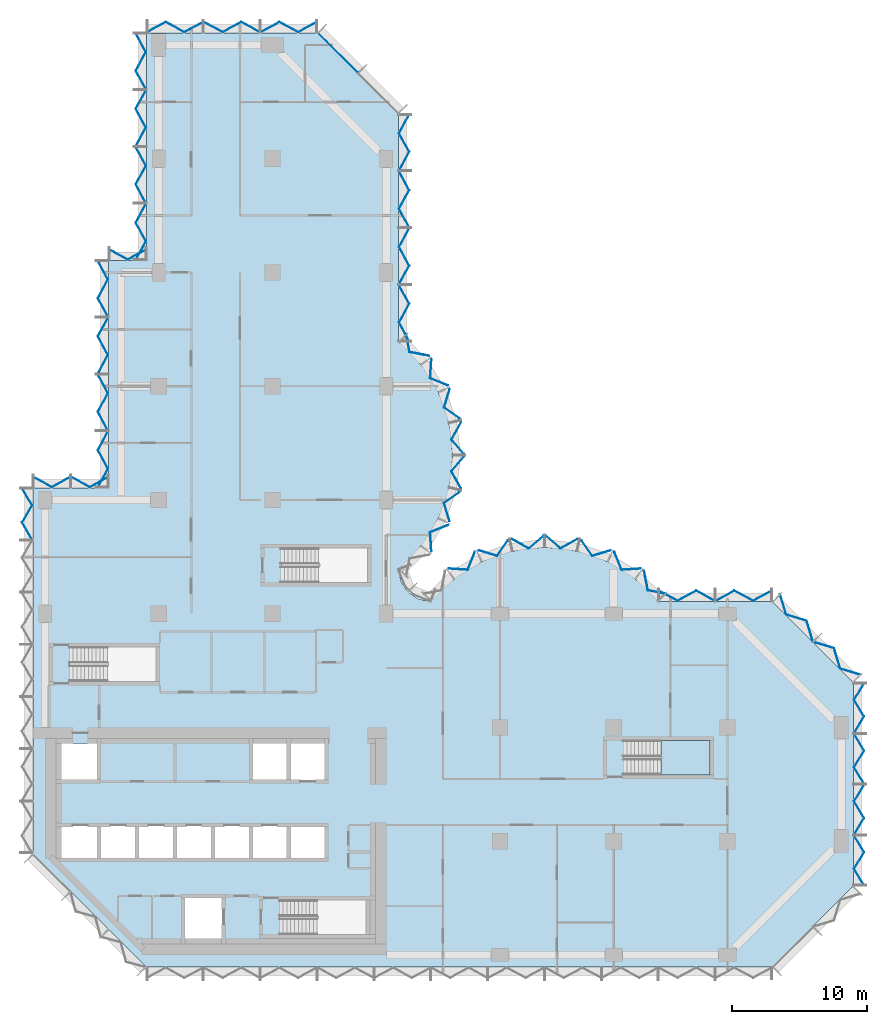
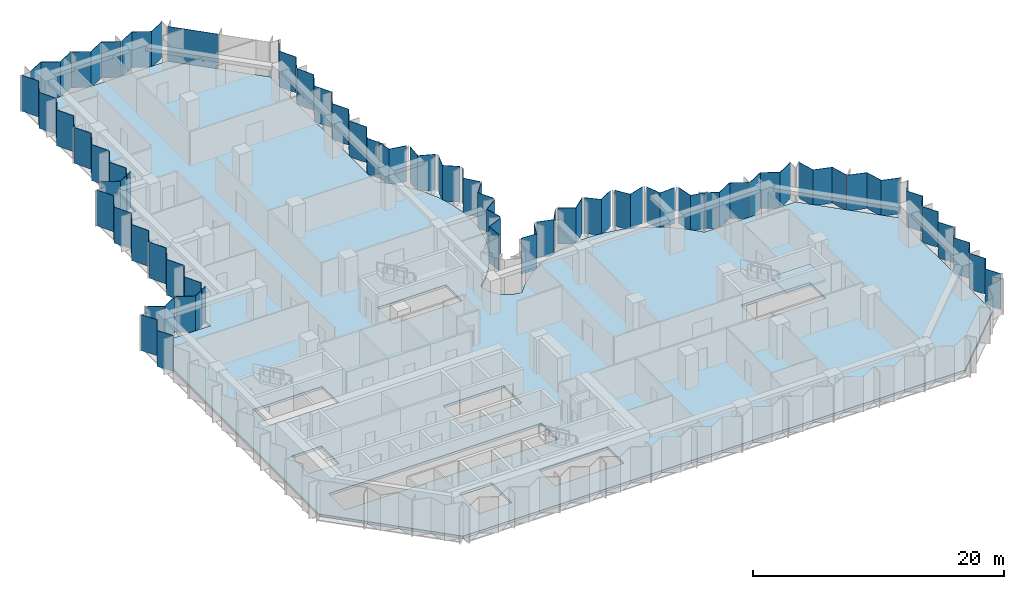
# One storey, part 4 of 11: 42 plates, 2 slabs, 14 elements without a shape of their own.
"""IFC4 building model written with IfcOpenShell, lengths in metres."""

from ifc_helpers import new_model, si_unit, direction, frame, origin, place, context, subcontext, project, spatial, polyline, outline, extrude, material, layer, layer_set, type_object, element, aggregate, save


model = new_model("IFC4")

# Units and contexts
model_context = context("Model", 3, precision=1e-05, world=origin(), true_north=direction((0.0, 1.0)))
body_context = subcontext(model_context, "Body", "Model", "MODEL_VIEW")
ifc_project = project(units=[si_unit("LENGTHUNIT", "METRE"), si_unit("AREAUNIT", "SQUARE_METRE"), si_unit("VOLUMEUNIT", "CUBIC_METRE"), si_unit("PLANEANGLEUNIT", "RADIAN"), si_unit("MASSUNIT", "GRAM", prefix="KILO")], contexts=[model_context])

# Site, building, storey
site_placement = place(None, origin())
site = spatial("IfcSite", under=ifc_project, at=site_placement, CompositionType="ELEMENT")
building_placement = place(site_placement, origin())
building = spatial("IfcBuilding", under=site, at=building_placement, Name="Brevane Broadcast Tower", CompositionType="ELEMENT")
storey_placement = place(building_placement, frame((0.0, 0.0, 138.5)))
storey = spatial("IfcBuildingStorey", under=building, at=storey_placement, Name="L34", CompositionType="ELEMENT", Elevation=138.5)

# Curtain wall, plates
ifc_material_1 = material(Name="Aluminium 6063-T6 bronze anodised", Category="aluminium")
curtain_wall_type = type_object("IfcCurtainWallType", Name="CW-1 curtain wall", PredefinedType="NOTDEFINED", material=ifc_material_1)
curtain_wall_1_placement = place(storey_placement, origin())
curtain_wall_1 = element("IfcCurtainWall", 1, at=curtain_wall_1_placement, inside=storey, type_object=curtain_wall_type, Name="CW-1 typical tilted unit L34 east end", PredefinedType="NOTDEFINED")
ifc_material_2 = material(Name="Laminated glass bronze-tinted", Category="glass")
ifc_layer_1 = layer(ifc_material_2, 0.0400390625)
ifc_layer_set_1 = layer_set([ifc_layer_1], Name="CW tall glass panel 40")
plate_type = type_object("IfcPlateType", Name="CW tall glass panel 40", PredefinedType="CURTAIN_PANEL", material=ifc_layer_set_1)
plate_1_placement = place(storey_placement, frame((0.0, 0.0, -0.14990234375)))
plate_1 = element("IfcPlate", 2, at=plate_1_placement, type_object=plate_type, Name="CW-1 glass panel", PredefinedType="CURTAIN_PANEL", context=body_context, shape_type="SweptSolid", body=[
    extrude(outline(polyline([(60.470947265625, 5.135009765625), (60.517822265625, 5.135009765625), (59.7734375, 6.36181640625), (60.517822265625, 7.58837890625), (59.7734375, 8.81494140625), (59.7265625, 8.81494140625), (60.470947265625, 7.58837890625), (59.7265625, 6.36181640625), (60.470947265625, 5.135009765625)])), origin(), (0.0, 0.0, 1.0), 3.5),
])
plate_2_placement = place(storey_placement, frame((0.0, 0.0, -0.14990234375)))
plate_2 = element("IfcPlate", 3, at=plate_2_placement, type_object=plate_type, Name="CW-1 glass panel", PredefinedType="CURTAIN_PANEL", context=body_context, shape_type="SweptSolid", body=[
    extrude(outline(polyline([(59.7265625, 8.885009765625), (59.7734375, 8.885009765625), (60.517822265625, 10.11181640625), (59.7734375, 11.33837890625), (60.517822265625, 12.56494140625), (60.470947265625, 12.56494140625), (59.7265625, 11.33837890625), (60.470947265625, 10.11181640625), (59.7265625, 8.885009765625)])), origin(), (0.0, 0.0, 1.0), 3.5),
])
plate_3_placement = place(storey_placement, frame((0.0, 0.0, -0.14990234375)))
plate_3 = element("IfcPlate", 4, at=plate_3_placement, type_object=plate_type, Name="CW-1 glass panel", PredefinedType="CURTAIN_PANEL", context=body_context, shape_type="SweptSolid", body=[
    extrude(outline(polyline([(60.470947265625, 12.635009765625), (60.517822265625, 12.635009765625), (59.7734375, 13.86181640625), (60.517822265625, 15.08837890625), (59.7734375, 16.31494140625), (59.7265625, 16.31494140625), (60.470947265625, 15.08837890625), (59.7265625, 13.86181640625), (60.470947265625, 12.635009765625)])), origin(), (0.0, 0.0, 1.0), 3.5),
])
plate_4_placement = place(storey_placement, frame((0.0, 0.0, -0.14990234375)))
plate_4 = element("IfcPlate", 5, at=plate_4_placement, type_object=plate_type, Name="CW-1 glass panel", PredefinedType="CURTAIN_PANEL", context=body_context, shape_type="SweptSolid", body=[
    extrude(outline(polyline([(59.7265625, 16.385009765625), (59.7734375, 16.385009765625), (60.517822265625, 17.61181640625), (59.7734375, 18.83837890625), (60.517822265625, 20.06494140625), (60.470947265625, 20.06494140625), (59.7265625, 18.83837890625), (60.470947265625, 17.61181640625), (59.7265625, 16.385009765625)])), origin(), (0.0, 0.0, 1.0), 3.5),
])
aggregate(curtain_wall_1, [plate_1, plate_2, plate_3, plate_4])

curtain_wall_2_placement = place(storey_placement, origin())
curtain_wall_2 = element("IfcCurtainWall", 6, at=curtain_wall_2_placement, inside=storey, type_object=curtain_wall_type, Name="CW-1 typical tilted unit L34 north-east chamfer", PredefinedType="NOTDEFINED")
plate_5_placement = place(storey_placement, frame((0.0, 0.0, -0.14990234375)))
plate_5 = element("IfcPlate", 7, at=plate_5_placement, type_object=plate_type, Name="CW-1 glass panel", PredefinedType="CURTAIN_PANEL", context=body_context, shape_type="SweptSolid", body=[
    extrude(outline(polyline([(60.220947265625, 20.67041015625), (60.2529296875, 20.702392578125), (58.7431640625, 21.15966796875), (58.285888671875, 22.66943359375), (56.776123046875, 23.126708984375), (56.744140625, 23.094482421875), (58.25390625, 22.637451171875), (58.711181640625, 21.127685546875), (60.220947265625, 20.67041015625)])), origin(), (0.0, 0.0, 1.0), 3.5),
])
plate_6_placement = place(storey_placement, frame((0.0, 0.0, -0.14990234375)))
plate_6 = element("IfcPlate", 8, at=plate_6_placement, type_object=plate_type, Name="CW-1 glass panel", PredefinedType="CURTAIN_PANEL", context=body_context, shape_type="SweptSolid", body=[
    extrude(outline(polyline([(56.694580078125, 23.14404296875), (56.7265625, 23.176025390625), (56.26953125, 24.68603515625), (54.759521484375, 25.14306640625), (54.302490234375, 26.653076171875), (54.2705078125, 26.620849609375), (54.7275390625, 25.111083984375), (56.2373046875, 24.65380859375), (56.694580078125, 23.14404296875)])), origin(), (0.0, 0.0, 1.0), 3.5),
])
aggregate(curtain_wall_2, [plate_5, plate_6])

curtain_wall_3_placement = place(storey_placement, origin())
curtain_wall_3 = element("IfcCurtainWall", 9, at=curtain_wall_3_placement, inside=storey, type_object=curtain_wall_type, Name="CW-1 typical tilted unit L34 east arm north face", PredefinedType="NOTDEFINED")
plate_7_placement = place(storey_placement, frame((0.0, 0.0, -0.14990234375)))
plate_7 = element("IfcPlate", 10, at=plate_7_placement, type_object=plate_type, Name="CW-1 glass panel", PredefinedType="CURTAIN_PANEL", context=body_context, shape_type="SweptSolid", body=[
    extrude(outline(polyline([(53.6650390625, 26.87158203125), (53.6650390625, 26.9169921875), (52.288330078125, 26.172607421875), (50.91162109375, 26.9169921875), (49.534912109375, 26.172607421875), (49.534912109375, 26.127197265625), (50.91162109375, 26.87158203125), (52.288330078125, 26.127197265625), (53.6650390625, 26.87158203125)])), origin(), (0.0, 0.0, 1.0), 3.5),
])
plate_8_placement = place(storey_placement, frame((0.0, 0.0, -0.14990234375)))
plate_8 = element("IfcPlate", 11, at=plate_8_placement, type_object=plate_type, Name="CW-1 glass panel", PredefinedType="CURTAIN_PANEL", context=body_context, shape_type="SweptSolid", body=[
    extrude(outline(polyline([(49.465087890625, 26.127197265625), (49.465087890625, 26.172607421875), (48.08837890625, 26.9169921875), (46.711669921875, 26.172607421875), (45.3349609375, 26.9169921875), (45.3349609375, 26.87158203125), (46.711669921875, 26.127197265625), (48.08837890625, 26.87158203125), (49.465087890625, 26.127197265625)])), origin(), (0.0, 0.0, 1.0), 3.5),
])
aggregate(curtain_wall_3, [plate_7, plate_8])

curtain_wall_4_placement = place(storey_placement, origin())
curtain_wall_4 = element("IfcCurtainWall", 12, at=curtain_wall_4_placement, inside=storey, type_object=curtain_wall_type, Name="CW-1 typical tilted unit L34 east bow", PredefinedType="NOTDEFINED")
plate_9_placement = place(storey_placement, frame((0.0, 0.0, -0.14990234375)))
plate_9 = element("IfcPlate", 13, at=plate_9_placement, type_object=plate_type, Name="CW-1 glass panel", PredefinedType="CURTAIN_PANEL", context=body_context, shape_type="SweptSolid", body=[
    extrude(outline(polyline([(45.79150390625, 26.656005859375), (45.82470703125, 26.690185546875), (44.539306640625, 26.9423828125), (44.263916015625, 28.3857421875), (44.231201171875, 28.34375), (44.5048828125, 26.908203125), (45.79150390625, 26.656005859375)])), origin(), (0.0, 0.0, 1.0), 3.5),
])
plate_10_placement = place(storey_placement, frame((0.0, 0.0, -0.14990234375)))
plate_10 = element("IfcPlate", 14, at=plate_10_placement, type_object=plate_type, Name="CW-1 glass panel", PredefinedType="CURTAIN_PANEL", context=body_context, shape_type="SweptSolid", body=[
    extrude(outline(polyline([(43.950439453125, 28.5087890625), (43.9833984375, 28.551025390625), (42.601318359375, 28.462890625), (42.0703125, 29.76171875), (42.046875, 29.712890625), (42.5751953125, 28.42138671875), (43.950439453125, 28.5087890625)])), origin(), (0.0, 0.0, 1.0), 3.5),
])
plate_11_placement = place(storey_placement, frame((0.0, 0.0, -0.14990234375)))
plate_11 = element("IfcPlate", 15, at=plate_11_placement, type_object=plate_type, Name="CW-1 glass panel", PredefinedType="CURTAIN_PANEL", context=body_context, shape_type="SweptSolid", body=[
    extrude(outline(polyline([(41.75537109375, 29.851806640625), (41.778564453125, 29.900634765625), (40.435546875, 29.494384765625), (39.6328125, 30.622802734375), (39.62060546875, 30.57080078125), (40.41943359375, 29.44775390625), (41.75537109375, 29.851806640625)])), origin(), (0.0, 0.0, 1.0), 3.5),
])
plate_12_placement = place(storey_placement, frame((0.0, 0.0, -0.14990234375)))
plate_12 = element("IfcPlate", 16, at=plate_12_placement, type_object=plate_type, Name="CW-1 glass panel", PredefinedType="CURTAIN_PANEL", context=body_context, shape_type="SweptSolid", body=[
    extrude(outline(polyline([(39.31640625, 30.68798828125), (39.328369140625, 30.740478515625), (38.069580078125, 30.036376953125), (37.008056640625, 30.94921875), (37.008056640625, 30.896484375), (38.064697265625, 29.98779296875), (39.31640625, 30.68798828125)])), origin(), (0.0, 0.0, 1.0), 3.5),
])
plate_13_placement = place(storey_placement, frame((0.0, 0.0, -0.14990234375)))
plate_13 = element("IfcPlate", 17, at=plate_13_placement, type_object=plate_type, Name="CW-1 glass panel", PredefinedType="CURTAIN_PANEL", context=body_context, shape_type="SweptSolid", body=[
    extrude(outline(polyline([(36.7919921875, 30.896484375), (36.7919921875, 30.94921875), (35.730224609375, 30.036376953125), (34.4716796875, 30.740478515625), (34.483642578125, 30.68798828125), (35.735107421875, 29.98779296875), (36.7919921875, 30.896484375)])), origin(), (0.0, 0.0, 1.0), 3.5),
])
plate_14_placement = place(storey_placement, frame((0.0, 0.0, -0.14990234375)))
plate_14 = element("IfcPlate", 18, at=plate_14_placement, type_object=plate_type, Name="CW-1 glass panel", PredefinedType="CURTAIN_PANEL", context=body_context, shape_type="SweptSolid", body=[
    extrude(outline(polyline([(34.17919921875, 30.57080078125), (34.167236328125, 30.622802734375), (33.364501953125, 29.494384765625), (32.021484375, 29.900634765625), (32.044677734375, 29.851806640625), (33.380615234375, 29.44775390625), (34.17919921875, 30.57080078125)])), origin(), (0.0, 0.0, 1.0), 3.5),
])
plate_15_placement = place(storey_placement, frame((0.0, 0.0, -0.14990234375)))
plate_15 = element("IfcPlate", 19, at=plate_15_placement, type_object=plate_type, Name="CW-1 glass panel", PredefinedType="CURTAIN_PANEL", context=body_context, shape_type="SweptSolid", body=[
    extrude(outline(polyline([(31.753173828125, 29.712890625), (31.729736328125, 29.76171875), (31.198486328125, 28.462890625), (29.816650390625, 28.551025390625), (29.849609375, 28.5087890625), (31.224609375, 28.42138671875), (31.753173828125, 29.712890625)])), origin(), (0.0, 0.0, 1.0), 3.5),
])
aggregate(curtain_wall_4, [plate_9, plate_10, plate_11, plate_12, plate_13, plate_14, plate_15])

curtain_wall_5_placement = place(storey_placement, origin())
curtain_wall_5 = element("IfcCurtainWall", 20, at=curtain_wall_5_placement, inside=storey, type_object=curtain_wall_type, Name="CW-1 typical tilted unit L34 north bow", PredefinedType="NOTDEFINED")
plate_16_placement = place(storey_placement, frame((0.0, 0.0, -0.14990234375)))
plate_16 = element("IfcPlate", 21, at=plate_16_placement, type_object=plate_type, Name="CW-1 glass panel", PredefinedType="CURTAIN_PANEL", context=body_context, shape_type="SweptSolid", body=[
    extrude(outline(polyline([(28.5087890625, 29.849609375), (28.551025390625, 29.816650390625), (28.462890625, 31.198486328125), (29.76171875, 31.729736328125), (29.712890625, 31.753173828125), (28.42138671875, 31.224609375), (28.5087890625, 29.849609375)])), origin(), (0.0, 0.0, 1.0), 3.5),
])
plate_17_placement = place(storey_placement, frame((0.0, 0.0, -0.14990234375)))
plate_17 = element("IfcPlate", 22, at=plate_17_placement, type_object=plate_type, Name="CW-1 glass panel", PredefinedType="CURTAIN_PANEL", context=body_context, shape_type="SweptSolid", body=[
    extrude(outline(polyline([(29.851806640625, 32.044677734375), (29.900634765625, 32.021484375), (29.494384765625, 33.364501953125), (30.622802734375, 34.167236328125), (30.57080078125, 34.17919921875), (29.44775390625, 33.380615234375), (29.851806640625, 32.044677734375)])), origin(), (0.0, 0.0, 1.0), 3.5),
])
plate_18_placement = place(storey_placement, frame((0.0, 0.0, -0.14990234375)))
plate_18 = element("IfcPlate", 23, at=plate_18_placement, type_object=plate_type, Name="CW-1 glass panel", PredefinedType="CURTAIN_PANEL", context=body_context, shape_type="SweptSolid", body=[
    extrude(outline(polyline([(30.68798828125, 34.483642578125), (30.740478515625, 34.4716796875), (30.036376953125, 35.730224609375), (30.94921875, 36.7919921875), (30.896484375, 36.7919921875), (29.98779296875, 35.735107421875), (30.68798828125, 34.483642578125)])), origin(), (0.0, 0.0, 1.0), 3.5),
])
plate_19_placement = place(storey_placement, frame((0.0, 0.0, -0.14990234375)))
plate_19 = element("IfcPlate", 24, at=plate_19_placement, type_object=plate_type, Name="CW-1 glass panel", PredefinedType="CURTAIN_PANEL", context=body_context, shape_type="SweptSolid", body=[
    extrude(outline(polyline([(30.896484375, 37.008056640625), (30.94921875, 37.008056640625), (30.036376953125, 38.069580078125), (30.740478515625, 39.328369140625), (30.68798828125, 39.31640625), (29.98779296875, 38.064697265625), (30.896484375, 37.008056640625)])), origin(), (0.0, 0.0, 1.0), 3.5),
])
plate_20_placement = place(storey_placement, frame((0.0, 0.0, -0.14990234375)))
plate_20 = element("IfcPlate", 25, at=plate_20_placement, type_object=plate_type, Name="CW-1 glass panel", PredefinedType="CURTAIN_PANEL", context=body_context, shape_type="SweptSolid", body=[
    extrude(outline(polyline([(30.57080078125, 39.62060546875), (30.622802734375, 39.6328125), (29.494384765625, 40.435546875), (29.900634765625, 41.778564453125), (29.851806640625, 41.75537109375), (29.44775390625, 40.41943359375), (30.57080078125, 39.62060546875)])), origin(), (0.0, 0.0, 1.0), 3.5),
])
plate_21_placement = place(storey_placement, frame((0.0, 0.0, -0.14990234375)))
plate_21 = element("IfcPlate", 26, at=plate_21_placement, type_object=plate_type, Name="CW-1 glass panel", PredefinedType="CURTAIN_PANEL", context=body_context, shape_type="SweptSolid", body=[
    extrude(outline(polyline([(29.712890625, 42.046875), (29.76171875, 42.0703125), (28.462890625, 42.601318359375), (28.551025390625, 43.9833984375), (28.5087890625, 43.950439453125), (28.42138671875, 42.5751953125), (29.712890625, 42.046875)])), origin(), (0.0, 0.0, 1.0), 3.5),
])
plate_22_placement = place(storey_placement, frame((0.0, 0.0, -0.14990234375)))
plate_22 = element("IfcPlate", 27, at=plate_22_placement, type_object=plate_type, Name="CW-1 glass panel", PredefinedType="CURTAIN_PANEL", context=body_context, shape_type="SweptSolid", body=[
    extrude(outline(polyline([(28.34375, 44.231201171875), (28.3857421875, 44.263916015625), (26.9423828125, 44.539306640625), (26.690185546875, 45.82470703125), (26.656005859375, 45.79150390625), (26.908203125, 44.5048828125), (28.34375, 44.231201171875)])), origin(), (0.0, 0.0, 1.0), 3.5),
])
aggregate(curtain_wall_5, [plate_16, plate_17, plate_18, plate_19, plate_20, plate_21, plate_22])

curtain_wall_6_placement = place(storey_placement, origin())
curtain_wall_6 = element("IfcCurtainWall", 28, at=curtain_wall_6_placement, inside=storey, type_object=curtain_wall_type, Name="CW-1 typical tilted unit L34 north arm east face", PredefinedType="NOTDEFINED")
plate_23_placement = place(storey_placement, frame((0.0, 0.0, -0.14990234375)))
plate_23 = element("IfcPlate", 29, at=plate_23_placement, type_object=plate_type, Name="CW-1 glass panel", PredefinedType="CURTAIN_PANEL", context=body_context, shape_type="SweptSolid", body=[
    extrude(outline(polyline([(26.87158203125, 45.3349609375), (26.9169921875, 45.3349609375), (26.172607421875, 46.711669921875), (26.9169921875, 48.08837890625), (26.172607421875, 49.465087890625), (26.127197265625, 49.465087890625), (26.87158203125, 48.08837890625), (26.127197265625, 46.711669921875), (26.87158203125, 45.3349609375)])), origin(), (0.0, 0.0, 1.0), 3.5),
])
plate_24_placement = place(storey_placement, frame((0.0, 0.0, -0.14990234375)))
plate_24 = element("IfcPlate", 30, at=plate_24_placement, type_object=plate_type, Name="CW-1 glass panel", PredefinedType="CURTAIN_PANEL", context=body_context, shape_type="SweptSolid", body=[
    extrude(outline(polyline([(26.127197265625, 49.534912109375), (26.172607421875, 49.534912109375), (26.9169921875, 50.91162109375), (26.172607421875, 52.288330078125), (26.9169921875, 53.6650390625), (26.87158203125, 53.6650390625), (26.127197265625, 52.288330078125), (26.87158203125, 50.91162109375), (26.127197265625, 49.534912109375)])), origin(), (0.0, 0.0, 1.0), 3.5),
])
plate_25_placement = place(storey_placement, frame((0.0, 0.0, -0.14990234375)))
plate_25 = element("IfcPlate", 31, at=plate_25_placement, type_object=plate_type, Name="CW-1 glass panel", PredefinedType="CURTAIN_PANEL", context=body_context, shape_type="SweptSolid", body=[
    extrude(outline(polyline([(26.87158203125, 53.735107421875), (26.9169921875, 53.735107421875), (26.172607421875, 55.11181640625), (26.9169921875, 56.48828125), (26.172607421875, 57.864990234375), (26.127197265625, 57.864990234375), (26.87158203125, 56.48828125), (26.127197265625, 55.11181640625), (26.87158203125, 53.735107421875)])), origin(), (0.0, 0.0, 1.0), 3.5),
])
plate_26_placement = place(storey_placement, frame((0.0, 0.0, -0.14990234375)))
plate_26 = element("IfcPlate", 32, at=plate_26_placement, type_object=plate_type, Name="CW-1 glass panel", PredefinedType="CURTAIN_PANEL", context=body_context, shape_type="SweptSolid", body=[
    extrude(outline(polyline([(26.127197265625, 57.93505859375), (26.172607421875, 57.93505859375), (26.9169921875, 59.311767578125), (26.172607421875, 60.688232421875), (26.9169921875, 62.06494140625), (26.87158203125, 62.06494140625), (26.127197265625, 60.688232421875), (26.87158203125, 59.311767578125), (26.127197265625, 57.93505859375)])), origin(), (0.0, 0.0, 1.0), 3.5),
])
aggregate(curtain_wall_6, [plate_23, plate_24, plate_25, plate_26])

# Curtain wall, plate
curtain_wall_7_placement = place(storey_placement, origin())
curtain_wall_7 = element("IfcCurtainWall", 33, at=curtain_wall_7_placement, inside=storey, type_object=curtain_wall_type, Name="CW-1 typical tilted unit L34 north arm north-east chamfer", PredefinedType="NOTDEFINED")
plate_27_placement = place(storey_placement, frame((0.0, 0.0, -0.14990234375)))
plate_27 = element("IfcPlate", 34, at=plate_27_placement, type_object=plate_type, Name="CW-1 glass panel", PredefinedType="CURTAIN_PANEL", context=body_context, shape_type="SweptSolid", body=[
    extrude(outline(polyline([(23.096435546875, 65.14599609375), (20.14599609375, 68.096435546875), (20.17431640625, 68.124755859375), (23.124755859375, 65.17431640625), (23.096435546875, 65.14599609375)])), origin(), (0.0, 0.0, 1.0), 3.5),
])
aggregate(curtain_wall_7, [plate_27])

# Curtain wall, plates
curtain_wall_8_placement = place(storey_placement, origin())
curtain_wall_8 = element("IfcCurtainWall", 35, at=curtain_wall_8_placement, inside=storey, type_object=curtain_wall_type, Name="CW-1 typical tilted unit L34 north end", PredefinedType="NOTDEFINED")
plate_28_placement = place(storey_placement, frame((0.0, 0.0, -0.14990234375)))
plate_28 = element("IfcPlate", 36, at=plate_28_placement, type_object=plate_type, Name="CW-1 glass panel", PredefinedType="CURTAIN_PANEL", context=body_context, shape_type="SweptSolid", body=[
    extrude(outline(polyline([(20.06494140625, 68.87158203125), (20.06494140625, 68.9169921875), (18.688232421875, 68.172607421875), (17.311767578125, 68.9169921875), (15.93505859375, 68.172607421875), (15.93505859375, 68.127197265625), (17.311767578125, 68.87158203125), (18.688232421875, 68.127197265625), (20.06494140625, 68.87158203125)])), origin(), (0.0, 0.0, 1.0), 3.5),
])
plate_29_placement = place(storey_placement, frame((0.0, 0.0, -0.14990234375)))
plate_29 = element("IfcPlate", 37, at=plate_29_placement, type_object=plate_type, Name="CW-1 glass panel", PredefinedType="CURTAIN_PANEL", context=body_context, shape_type="SweptSolid", body=[
    extrude(outline(polyline([(15.864990234375, 68.127197265625), (15.864990234375, 68.172607421875), (14.48828125, 68.9169921875), (13.11181640625, 68.172607421875), (11.735107421875, 68.9169921875), (11.735107421875, 68.87158203125), (13.11181640625, 68.127197265625), (14.48828125, 68.87158203125), (15.864990234375, 68.127197265625)])), origin(), (0.0, 0.0, 1.0), 3.5),
])
plate_30_placement = place(storey_placement, frame((0.0, 0.0, -0.14990234375)))
plate_30 = element("IfcPlate", 38, at=plate_30_placement, type_object=plate_type, Name="CW-1 glass panel", PredefinedType="CURTAIN_PANEL", context=body_context, shape_type="SweptSolid", body=[
    extrude(outline(polyline([(11.6650390625, 68.87158203125), (11.6650390625, 68.9169921875), (10.288330078125, 68.172607421875), (8.91162109375, 68.9169921875), (7.534912109375, 68.172607421875), (7.534912109375, 68.127197265625), (8.91162109375, 68.87158203125), (10.288330078125, 68.127197265625), (11.6650390625, 68.87158203125)])), origin(), (0.0, 0.0, 1.0), 3.5),
])
aggregate(curtain_wall_8, [plate_28, plate_29, plate_30])

curtain_wall_9_placement = place(storey_placement, origin())
curtain_wall_9 = element("IfcCurtainWall", 39, at=curtain_wall_9_placement, inside=storey, type_object=curtain_wall_type, Name="CW-1 typical tilted unit L34 north wing west face above the set-back", PredefinedType="NOTDEFINED")
plate_31_placement = place(storey_placement, frame((0.0, 0.0, -0.14990234375)))
plate_31 = element("IfcPlate", 40, at=plate_31_placement, type_object=plate_type, Name="CW-1 glass panel", PredefinedType="CURTAIN_PANEL", context=body_context, shape_type="SweptSolid", body=[
    extrude(outline(polyline([(6.728271484375, 68.06494140625), (6.682861328125, 68.06494140625), (7.42724609375, 66.688232421875), (6.682861328125, 65.311767578125), (7.42724609375, 63.93505859375), (7.47265625, 63.93505859375), (6.728271484375, 65.311767578125), (7.47265625, 66.688232421875), (6.728271484375, 68.06494140625)])), origin(), (0.0, 0.0, 1.0), 3.5),
])
plate_32_placement = place(storey_placement, frame((0.0, 0.0, -0.14990234375)))
plate_32 = element("IfcPlate", 41, at=plate_32_placement, type_object=plate_type, Name="CW-1 glass panel", PredefinedType="CURTAIN_PANEL", context=body_context, shape_type="SweptSolid", body=[
    extrude(outline(polyline([(7.47265625, 63.864990234375), (7.42724609375, 63.864990234375), (6.682861328125, 62.48828125), (7.42724609375, 61.11181640625), (6.682861328125, 59.735107421875), (6.728271484375, 59.735107421875), (7.47265625, 61.11181640625), (6.728271484375, 62.48828125), (7.47265625, 63.864990234375)])), origin(), (0.0, 0.0, 1.0), 3.5),
])
plate_33_placement = place(storey_placement, frame((0.0, 0.0, -0.14990234375)))
plate_33 = element("IfcPlate", 42, at=plate_33_placement, type_object=plate_type, Name="CW-1 glass panel", PredefinedType="CURTAIN_PANEL", context=body_context, shape_type="SweptSolid", body=[
    extrude(outline(polyline([(6.728271484375, 59.6650390625), (6.682861328125, 59.6650390625), (7.42724609375, 58.288330078125), (6.682861328125, 56.91162109375), (7.42724609375, 55.534912109375), (7.47265625, 55.534912109375), (6.728271484375, 56.91162109375), (7.47265625, 58.288330078125), (6.728271484375, 59.6650390625)])), origin(), (0.0, 0.0, 1.0), 3.5),
])
plate_34_placement = place(storey_placement, frame((0.0, 0.0, -0.14990234375)))
plate_34 = element("IfcPlate", 43, at=plate_34_placement, type_object=plate_type, Name="CW-1 glass panel", PredefinedType="CURTAIN_PANEL", context=body_context, shape_type="SweptSolid", body=[
    extrude(outline(polyline([(7.47265625, 55.465087890625), (7.42724609375, 55.465087890625), (6.682861328125, 54.08837890625), (7.42724609375, 52.711669921875), (6.682861328125, 51.3349609375), (6.728271484375, 51.3349609375), (7.47265625, 52.711669921875), (6.728271484375, 54.08837890625), (7.47265625, 55.465087890625)])), origin(), (0.0, 0.0, 1.0), 3.5),
])
aggregate(curtain_wall_9, [plate_31, plate_32, plate_33, plate_34])

# Curtain wall, plate
curtain_wall_10_placement = place(storey_placement, origin())
curtain_wall_10 = element("IfcCurtainWall", 44, at=curtain_wall_10_placement, inside=storey, type_object=curtain_wall_type, Name="CW-1 typical tilted unit L34 north wing west return", PredefinedType="NOTDEFINED")
plate_35_placement = place(storey_placement, frame((0.0, 0.0, -0.14990234375)))
plate_35 = element("IfcPlate", 45, at=plate_35_placement, type_object=plate_type, Name="CW-1 glass panel", PredefinedType="CURTAIN_PANEL", context=body_context, shape_type="SweptSolid", body=[
    extrude(outline(polyline([(7.465087890625, 52.071533203125), (7.465087890625, 52.1171875), (6.10009765625, 51.372802734375), (4.735107421875, 52.1171875), (4.735107421875, 52.071533203125), (6.10009765625, 51.3271484375), (7.465087890625, 52.071533203125)])), origin(), (0.0, 0.0, 1.0), 3.5),
])
aggregate(curtain_wall_10, [plate_35])

# Curtain wall, plates
curtain_wall_11_placement = place(storey_placement, origin())
curtain_wall_11 = element("IfcCurtainWall", 46, at=curtain_wall_11_placement, inside=storey, type_object=curtain_wall_type, Name="CW-1 typical tilted unit L34 north wing west face, lower block", PredefinedType="NOTDEFINED")
plate_36_placement = place(storey_placement, frame((0.0, 0.0, -0.14990234375)))
plate_36 = element("IfcPlate", 47, at=plate_36_placement, type_object=plate_type, Name="CW-1 glass panel", PredefinedType="CURTAIN_PANEL", context=body_context, shape_type="SweptSolid", body=[
    extrude(outline(polyline([(3.92822265625, 51.264892578125), (3.8828125, 51.264892578125), (4.627197265625, 49.88818359375), (3.8828125, 48.51171875), (4.627197265625, 47.135009765625), (4.672607421875, 47.135009765625), (3.92822265625, 48.51171875), (4.672607421875, 49.88818359375), (3.92822265625, 51.264892578125)])), origin(), (0.0, 0.0, 1.0), 3.5),
])
plate_37_placement = place(storey_placement, frame((0.0, 0.0, -0.14990234375)))
plate_37 = element("IfcPlate", 48, at=plate_37_placement, type_object=plate_type, Name="CW-1 glass panel", PredefinedType="CURTAIN_PANEL", context=body_context, shape_type="SweptSolid", body=[
    extrude(outline(polyline([(4.672607421875, 47.06494140625), (4.627197265625, 47.06494140625), (3.8828125, 45.688232421875), (4.627197265625, 44.311767578125), (3.8828125, 42.93505859375), (3.92822265625, 42.93505859375), (4.672607421875, 44.311767578125), (3.92822265625, 45.688232421875), (4.672607421875, 47.06494140625)])), origin(), (0.0, 0.0, 1.0), 3.5),
])
plate_38_placement = place(storey_placement, frame((0.0, 0.0, -0.14990234375)))
plate_38 = element("IfcPlate", 49, at=plate_38_placement, type_object=plate_type, Name="CW-1 glass panel", PredefinedType="CURTAIN_PANEL", context=body_context, shape_type="SweptSolid", body=[
    extrude(outline(polyline([(3.92822265625, 42.864990234375), (3.8828125, 42.864990234375), (4.627197265625, 41.48828125), (3.8828125, 40.11181640625), (4.627197265625, 38.735107421875), (4.672607421875, 38.735107421875), (3.92822265625, 40.11181640625), (4.672607421875, 41.48828125), (3.92822265625, 42.864990234375)])), origin(), (0.0, 0.0, 1.0), 3.5),
])
plate_39_placement = place(storey_placement, frame((0.0, 0.0, -0.14990234375)))
plate_39 = element("IfcPlate", 50, at=plate_39_placement, type_object=plate_type, Name="CW-1 glass panel", PredefinedType="CURTAIN_PANEL", context=body_context, shape_type="SweptSolid", body=[
    extrude(outline(polyline([(4.672607421875, 38.6650390625), (4.627197265625, 38.6650390625), (3.8828125, 37.288330078125), (4.627197265625, 35.91162109375), (3.8828125, 34.534912109375), (3.92822265625, 34.534912109375), (4.672607421875, 35.91162109375), (3.92822265625, 37.288330078125), (4.672607421875, 38.6650390625)])), origin(), (0.0, 0.0, 1.0), 3.5),
])
aggregate(curtain_wall_11, [plate_36, plate_37, plate_38, plate_39])

curtain_wall_12_placement = place(storey_placement, origin())
curtain_wall_12 = element("IfcCurtainWall", 51, at=curtain_wall_12_placement, inside=storey, type_object=curtain_wall_type, Name="CW-1 typical tilted unit L34 north wing west return, lower block", PredefinedType="NOTDEFINED")
plate_40_placement = place(storey_placement, frame((0.0, 0.0, -0.14990234375)))
plate_40 = element("IfcPlate", 52, at=plate_40_placement, type_object=plate_type, Name="CW-1 glass panel", PredefinedType="CURTAIN_PANEL", context=body_context, shape_type="SweptSolid", body=[
    extrude(outline(polyline([(4.6650390625, 35.271484375), (4.6650390625, 35.317138671875), (3.300048828125, 34.57275390625), (1.93505859375, 35.317138671875), (1.93505859375, 35.271484375), (3.300048828125, 34.527099609375), (4.6650390625, 35.271484375)])), origin(), (0.0, 0.0, 1.0), 3.5),
])
plate_41_placement = place(storey_placement, frame((0.0, 0.0, -0.14990234375)))
plate_41 = element("IfcPlate", 53, at=plate_41_placement, type_object=plate_type, Name="CW-1 glass panel", PredefinedType="CURTAIN_PANEL", context=body_context, shape_type="SweptSolid", body=[
    extrude(outline(polyline([(1.864990234375, 35.271484375), (1.864990234375, 35.317138671875), (0.5, 34.57275390625), (-0.864990234375, 35.317138671875), (-0.864990234375, 35.271484375), (0.5, 34.527099609375), (1.864990234375, 35.271484375)])), origin(), (0.0, 0.0, 1.0), 3.5),
])
aggregate(curtain_wall_12, [plate_40, plate_41])

# Curtain wall, plate
curtain_wall_13_placement = place(storey_placement, origin())
curtain_wall_13 = element("IfcCurtainWall", 54, at=curtain_wall_13_placement, inside=storey, type_object=curtain_wall_type, Name="CW-1 typical tilted unit L34 west face", PredefinedType="NOTDEFINED")
plate_42_placement = place(storey_placement, frame((0.0, 0.0, -0.14990234375)))
plate_42 = element("IfcPlate", 55, at=plate_42_placement, type_object=plate_type, Name="CW-1 glass panel", PredefinedType="CURTAIN_PANEL", context=body_context, shape_type="SweptSolid", body=[
    extrude(outline(polyline([(-1.671142578125, 34.465087890625), (-1.717529296875, 34.465087890625), (-0.97314453125, 33.20263671875), (-1.717529296875, 31.940185546875), (-0.97314453125, 30.677978515625), (-0.9267578125, 30.677978515625), (-1.671142578125, 31.940185546875), (-0.9267578125, 33.20263671875), (-1.671142578125, 34.465087890625)])), origin(), (0.0, 0.0, 1.0), 3.5),
])
aggregate(curtain_wall_13, [plate_42])

# Stair, slab
ifc_material_3 = material(Name="Concrete C50/60", Category="concrete")
stair_type = type_object("IfcStairType", Name="Exit stair 22 risers", PredefinedType="HALF_TURN_STAIR", material=ifc_material_3)
stair_placement = place(storey_placement, origin())
stair = element("IfcStair", 56, at=stair_placement, inside=storey, type_object=stair_type, Name="L34 Exit stair ST-4", PredefinedType="HALF_TURN_STAIR")
ifc_layer_2 = layer(ifc_material_3, 0.199951171875)
ifc_layer_set_2 = layer_set([ifc_layer_2], Name="Exit stair landing")
slab_type_1 = type_object("IfcSlabType", Name="Exit stair landing", PredefinedType="LANDING", material=ifc_layer_set_2)
slab_1_placement = place(storey_placement, frame((0.0, 0.0, 1.60009765625)))
slab_1 = element("IfcSlab", 57, at=slab_1_placement, type_object=slab_type_1, Name="ST-4 landing 1", PredefinedType="LANDING", context=body_context, shape_type="SweptSolid", body=[
    extrude(outline(polyline([(45.5, 13.300048828125), (49.10009765625, 13.300048828125), (49.10009765625, 15.85009765625), (45.5, 15.85009765625), (45.5, 13.300048828125)])), origin(), (0.0, 0.0, 1.0), 0.199951171875),
])
aggregate(stair, [slab_1])

# Slab
ifc_material_4 = material(Name="Concrete C40/50", Category="concrete")
ifc_layer_3 = layer(ifc_material_4, 0.25)
ifc_layer_set_3 = layer_set([ifc_layer_3], Name="RC FLOOR SLAB 250 C40/50")
slab_type_2 = type_object("IfcSlabType", Name="RC FLOOR SLAB 250 C40/50", PredefinedType="FLOOR", material=ifc_layer_set_3)
slab_2_placement = place(storey_placement, frame((0.0, 0.0, -0.25)))
element("IfcSlab", 58, at=slab_2_placement, inside=storey, type_object=slab_type_2, Name="SL250 L34", PredefinedType="FLOOR", context=body_context, shape_type="SweptSolid", body=[
    extrude(outline(polyline([(-0.89990234375, 7.5), (-0.89990234375, 34.5), (4.699951171875, 34.5), (4.699951171875, 51.300048828125), (7.5, 51.300048828125), (7.5, 68.10009765625), (20.10009765625, 68.10009765625), (26.10009765625, 62.10009765625), (26.10009765625, 45.300048828125), (27.10888671875, 44.36865234375), (27.99169921875, 43.317138671875), (28.734130859375, 42.162353515625), (29.324462890625, 40.922607421875), (29.7529296875, 39.618408203125), (30.012939453125, 38.270263671875), (30.10009765625, 36.89990234375), (30.012939453125, 35.52978515625), (29.7529296875, 34.181640625), (29.324462890625, 32.877197265625), (28.734130859375, 31.6376953125), (27.99169921875, 30.48291015625), (27.10888671875, 29.431396484375), (26.10009765625, 28.5), (26.28271484375, 27.58154296875), (26.802978515625, 26.802978515625), (27.58154296875, 26.28271484375), (28.5, 26.10009765625), (29.431396484375, 27.10888671875), (30.48291015625, 27.99169921875), (31.6376953125, 28.734130859375), (32.877197265625, 29.324462890625), (34.181640625, 29.7529296875), (35.52978515625, 30.012939453125), (36.89990234375, 30.10009765625), (38.270263671875, 30.012939453125), (39.618408203125, 29.7529296875), (40.922607421875, 29.324462890625), (42.162353515625, 28.734130859375), (43.317138671875, 27.99169921875), (44.36865234375, 27.10888671875), (45.300048828125, 26.10009765625), (53.699951171875, 26.10009765625), (59.699951171875, 20.10009765625), (59.699951171875, 5.10009765625), (53.699951171875, -0.89990234375), (7.5, -0.89990234375), (-0.89990234375, 7.5)]), holes=[polyline([(13.199951171875, 4.39990234375), (10.199951171875, 4.39990234375), (10.199951171875, 1.199951171875), (13.199951171875, 1.199951171875), (13.199951171875, 4.39990234375)]), polyline([(4.0, 9.60009765625), (1.199951171875, 9.60009765625), (1.199951171875, 7.0), (4.0, 7.0), (6.800048828125, 7.0), (9.60009765625, 7.0), (12.39990234375, 7.0), (15.199951171875, 7.0), (18.0, 7.0), (20.800048828125, 7.0), (20.800048828125, 9.60009765625), (18.0, 9.60009765625), (15.199951171875, 9.60009765625), (12.39990234375, 9.60009765625), (9.60009765625, 9.60009765625), (6.800048828125, 9.60009765625), (4.0, 9.60009765625)]), polyline([(4.0, 12.800048828125), (4.0, 15.60009765625), (1.199951171875, 15.60009765625), (1.199951171875, 12.800048828125), (4.0, 12.800048828125)]), polyline([(8.199951171875, 22.75), (1.860107421875, 22.75), (1.860107421875, 20.199951171875), (8.199951171875, 20.199951171875), (8.199951171875, 22.75)]), polyline([(23.699951171875, 4.050048828125), (17.360107421875, 4.050048828125), (17.360107421875, 1.5), (23.699951171875, 1.5), (23.699951171875, 4.050048828125)]), polyline([(18.0, 15.60009765625), (15.199951171875, 15.60009765625), (15.199951171875, 12.800048828125), (18.0, 12.800048828125), (20.800048828125, 12.800048828125), (20.800048828125, 15.60009765625), (18.0, 15.60009765625)]), polyline([(49.10009765625, 15.85009765625), (42.760009765625, 15.85009765625), (42.760009765625, 13.300048828125), (49.10009765625, 13.300048828125), (49.10009765625, 15.85009765625)]), polyline([(23.800048828125, 30.050048828125), (17.4599609375, 30.050048828125), (17.4599609375, 27.5), (23.800048828125, 27.5), (23.800048828125, 30.050048828125)])]), origin(), (0.0, 0.0, 1.0), 0.25),
])

save(model, "model.ifc")
